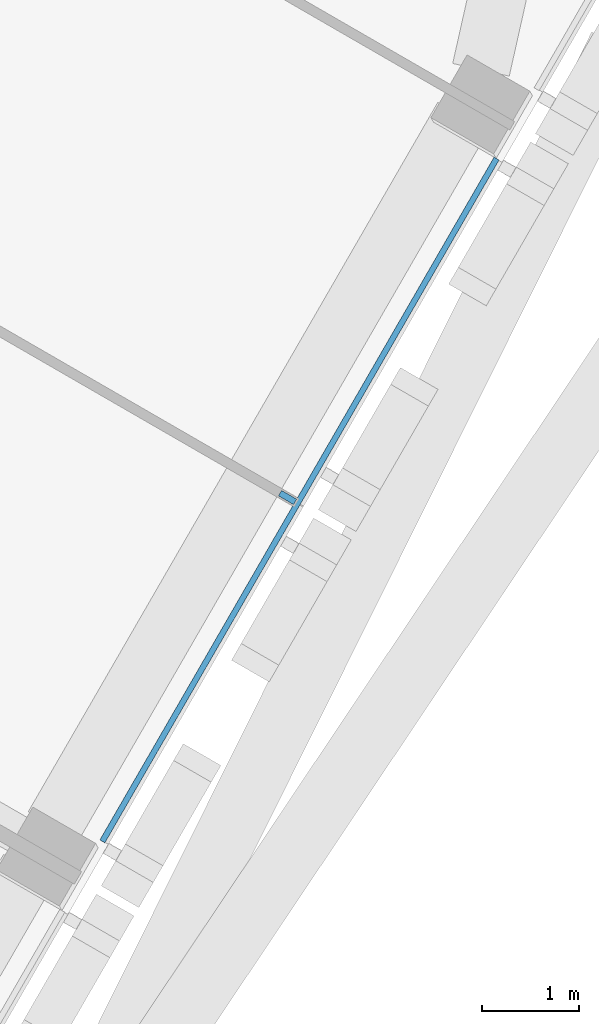
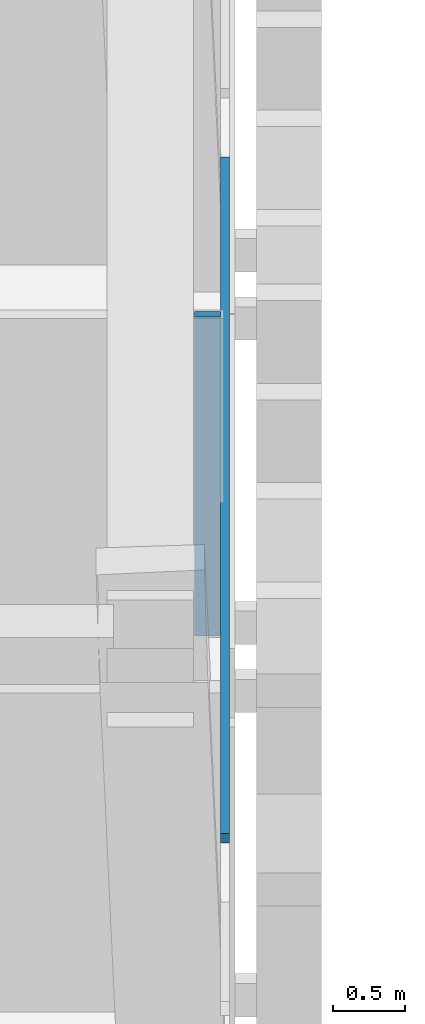
# One storey, part 11 of 22: 2 members, 1 element without a shape of its own.
"""IFC4 building model written with IfcOpenShell, lengths in metres."""

import ifcopenshell
import ifcopenshell.guid

model = None  # the IFC model being written
_history = None  # IfcOwnerHistory: only IFC2X3 demands one
_inside = {}  # id of a spatial element -> (the spatial element, [elements in it])
_under = {}  # id of a project, library or spatial element -> (it, [spatial elements below it])
_declared = {}  # id of a project -> (the project, [libraries it declares])
_typed = {}  # id of a type object -> (the type object, [elements of that type])
_made_of = {}  # id of a material, layer set ... -> (it, [elements and type objects made of it])


def new_model(schema):
    """Start an empty IFC model of exactly this schema.

    Asked for "IFC4X3", IfcOpenShell would pick the latest addendum, in which some entities
    have other attributes; the version numbers below select the first issue.
    IFC2X3 requires an IfcOwnerHistory on every rooted entity: one is made here for all.
    """
    global model, _history
    if schema == "IFC4X3":
        model = ifcopenshell.file(schema_version=(4, 3, 0, 0))
    else:
        model = ifcopenshell.file(schema=schema)
    _inside.clear()
    _under.clear()
    _declared.clear()
    _typed.clear()
    _made_of.clear()
    _history = None
    if model.schema == "IFC2X3":
        org = make("IfcOrganization", Name="unknown")
        user = make(
            "IfcPersonAndOrganization",
            ThePerson=make("IfcPerson", FamilyName="unknown"),
            TheOrganization=org,
        )
        app = make(
            "IfcApplication",
            ApplicationDeveloper=org,
            Version="unknown",
            ApplicationFullName="unknown",
            ApplicationIdentifier="unknown",
        )
        _history = make(
            "IfcOwnerHistory",
            OwningUser=user,
            OwningApplication=app,
            ChangeAction="ADDED",
            CreationDate=0,
        )
    return model


def make(cls, **values):
    """One entity of the class cls with the attributes given. An attribute that is None is left unset."""
    return model.create_entity(
        cls, **{name: value for name, value in values.items() if value is not None}
    )


def rooted(cls, **values):
    """An entity with a GlobalId (a new one), such as an element, a storey or a relation."""
    return make(cls, GlobalId=ifcopenshell.guid.new(), OwnerHistory=_history, **values)


def si_unit(unit_type, name, prefix=None):
    """IfcSIUnit, for example si_unit("LENGTHUNIT", "METRE", prefix="MILLI")."""
    return make("IfcSIUnit", UnitType=unit_type, Prefix=prefix, Name=name)


def assignment(units):
    """IfcUnitAssignment: the units of a project."""
    return None if units is None else make("IfcUnitAssignment", Units=units)


def point(xyz):
    """IfcCartesianPoint."""
    return None if xyz is None else make("IfcCartesianPoint", Coordinates=xyz)


def direction(xyz):
    """IfcDirection."""
    return None if xyz is None else make("IfcDirection", DirectionRatios=xyz)


def frame(location, z_axis=None, x_axis=None):
    """IfcAxis2Placement3D, a coordinate frame: its origin and axes. An axis left out is left unset."""
    return make(
        "IfcAxis2Placement3D",
        Location=point(location),
        Axis=direction(z_axis),
        RefDirection=direction(x_axis),
    )


def frame_2d(location, x_axis=None):
    """IfcAxis2Placement2D, a coordinate frame in the plane: its origin and x axis."""
    return make(
        "IfcAxis2Placement2D", Location=point(location), RefDirection=direction(x_axis)
    )


def origin():
    """The frame at (0, 0, 0) with its axes left unset."""
    return frame((0.0, 0.0, 0.0))


def origin_2d():
    """The frame at (0, 0) in the plane with its x axis left unset."""
    return frame_2d((0.0, 0.0))


def place(relative_to, where):
    """IfcLocalPlacement: puts the frame where relative to a parent placement (None: the world)."""
    return make(
        "IfcLocalPlacement", PlacementRelTo=relative_to, RelativePlacement=where
    )


def context(
    kind, dimensions, precision=None, world=None, true_north=None, identifier=None
):
    """IfcGeometricRepresentationContext, for example the 3D "Model" context."""
    return make(
        "IfcGeometricRepresentationContext",
        ContextIdentifier=identifier,
        ContextType=kind,
        CoordinateSpaceDimension=dimensions,
        Precision=precision,
        WorldCoordinateSystem=world,
        TrueNorth=true_north,
    )


def subcontext(parent, identifier, kind, view, scale=None):
    """IfcGeometricRepresentationSubContext, for example "Body" below "Model"."""
    return make(
        "IfcGeometricRepresentationSubContext",
        ContextIdentifier=identifier,
        ContextType=kind,
        ParentContext=parent,
        TargetScale=scale,
        TargetView=view,
    )


def project(units=None, contexts=None):
    """IfcProject with its units and contexts."""
    return rooted(
        "IfcProject",
        Name="project",
        RepresentationContexts=contexts,
        UnitsInContext=assignment(units),
    )


def spatial(cls, under=None, at=None, **own):
    """A site, building, storey or space (cls), placed at a placement, below another one or the project."""
    s = rooted(cls, ObjectPlacement=at, **own)
    if under is not None:
        _under.setdefault(under.id(), (under, []))[1].append(s)
    return s


def profile(cls, at=None, kind="AREA", **sizes):
    """A parametric profile (cls). Its sizes go by their IFC names, for example OverallWidth=200.0."""
    return make(cls, ProfileType=kind, Position=at, **sizes)


def rectangle(**sizes):
    """IfcRectangleProfileDef."""
    return profile("IfcRectangleProfileDef", **sizes)


def extrude(swept, where, along, depth):
    """IfcExtrudedAreaSolid: the profile swept, set in the frame where, extruded along a direction by depth."""
    return make(
        "IfcExtrudedAreaSolid",
        SweptArea=swept,
        Position=where,
        ExtrudedDirection=direction(along),
        Depth=depth,
    )


def shape(context_of_items, identifier, shape_type, items):
    """IfcShapeRepresentation: the items that make up one representation, for example the "Body"."""
    return make(
        "IfcShapeRepresentation",
        ContextOfItems=context_of_items,
        RepresentationIdentifier=identifier,
        RepresentationType=shape_type,
        Items=items,
    )


def material(Name=None, Category=None):
    """IfcMaterial."""
    return make("IfcMaterial", Name=Name, Category=Category)


def layer(
    of_material, thickness, ventilated=None, Name=None, Category=None, Priority=None
):
    """IfcMaterialLayer: one layer of a wall or slab, of a material (None: an air gap)."""
    return make(
        "IfcMaterialLayer",
        Material=of_material,
        LayerThickness=thickness,
        IsVentilated=ventilated,
        Name=Name,
        Category=Category,
        Priority=Priority,
    )


def layer_set(layers, Name=None):
    """IfcMaterialLayerSet."""
    return make("IfcMaterialLayerSet", MaterialLayers=layers, LayerSetName=Name)


def material_profile(
    of_material, cross_section, Name=None, Category=None, Priority=None
):
    """IfcMaterialProfile: a cross section and its material."""
    return make(
        "IfcMaterialProfile",
        Name=Name,
        Material=of_material,
        Profile=cross_section,
        Priority=Priority,
        Category=Category,
    )


def profile_set(profiles, Name=None, composite=None):
    """IfcMaterialProfileSet."""
    return make(
        "IfcMaterialProfileSet",
        Name=Name,
        MaterialProfiles=profiles,
        CompositeProfile=composite,
    )


def made_of(thing, what):
    """Note that an element or type object is made of a material, layer set ...; save() writes the relation."""
    if what is not None:
        _made_of.setdefault(what.id(), (what, []))[1].append(thing)
    return thing


def type_object(cls, material=None, **own):
    """A type object (cls), such as IfcWallType, which elements share."""
    return made_of(rooted(cls, **own), material)


def element(
    cls,
    number,
    at=None,
    inside=None,
    cuts=None,
    type_object=None,
    material=None,
    context=None,
    identifier="Body",
    shape_type=None,
    held_by="IfcProductDefinitionShape",
    body=None,
    shapes=None,
    **own,
):
    """One element of the class cls, such as IfcWall. Its Tag is "e" and its number.

    at: its placement. inside: the storey or other place that contains it. cuts: it is an
    opening in that element (IfcRelVoidsElement). A single representation is given by context,
    identifier, shape_type and body (its items); several are given by shapes. held_by: the class
    of the entity that holds the representations. save() writes the other relations.
    """
    e = rooted(cls, Tag="e%d" % number, ObjectPlacement=at, **own)
    if body is not None:
        shapes = [shape(context, identifier, shape_type, body)]
    if shapes is not None:
        e.Representation = make(held_by, Representations=shapes)
    if inside is not None:
        _inside.setdefault(inside.id(), (inside, []))[1].append(e)
    if cuts is not None:
        rooted(
            "IfcRelVoidsElement", RelatingBuildingElement=cuts, RelatedOpeningElement=e
        )
    if type_object is not None:
        _typed.setdefault(type_object.id(), (type_object, []))[1].append(e)
    return made_of(e, material)


def aggregate(whole, parts):
    """IfcRelAggregates: a whole, such as a stair, and the parts it consists of."""
    return rooted("IfcRelAggregates", RelatingObject=whole, RelatedObjects=parts)


def save(model, path):
    """Write the relations noted so far, then the file.

    IfcRelAggregates (storeys below a building ...), IfcRelContainedInSpatialStructure (elements
    in a storey), IfcRelDefinesByType, IfcRelAssociatesMaterial and IfcRelDeclares: one each for
    every whole, place, type object, material and project.
    """
    for whole, parts in _under.values():
        aggregate(whole, parts)
    for where, things in _inside.values():
        rooted(
            "IfcRelContainedInSpatialStructure",
            RelatedElements=things,
            RelatingStructure=where,
        )
    for kind, things in _typed.values():
        rooted("IfcRelDefinesByType", RelatedObjects=things, RelatingType=kind)
    for what, things in _made_of.values():
        rooted("IfcRelAssociatesMaterial", RelatedObjects=things, RelatingMaterial=what)
    for by, libraries in _declared.values():
        rooted("IfcRelDeclares", RelatingContext=by, RelatedDefinitions=libraries)
    model.write(path)


model = new_model("IFC4")

# Units and contexts
model_context = context("Model", 3, precision=1e-05, world=origin(), true_north=direction((0.0, 1.0)))
body_context = subcontext(model_context, "Body", "Model", "MODEL_VIEW")
ifc_project = project(units=[si_unit("LENGTHUNIT", "METRE"), si_unit("AREAUNIT", "SQUARE_METRE"), si_unit("VOLUMEUNIT", "CUBIC_METRE"), si_unit("PLANEANGLEUNIT", "RADIAN"), si_unit("MASSUNIT", "GRAM", prefix="KILO")], contexts=[model_context])

# Site, building, storey
site_placement = place(None, origin())
site = spatial("IfcSite", under=ifc_project, at=site_placement, CompositionType="ELEMENT")
building_placement = place(site_placement, origin())
building = spatial("IfcBuilding", under=site, at=building_placement, Name="Altiplano Prism Tower", CompositionType="ELEMENT")
storey_placement = place(building_placement, frame((0.0, 0.0, 219.39990234375)))
storey = spatial("IfcBuildingStorey", under=building, at=storey_placement, Name="L56", CompositionType="ELEMENT", Elevation=219.39990234375)

# Curtain wall, members
ifc_material_1 = material(Name="Aluminium and glass", Category="aluminium")
ifc_layer = layer(ifc_material_1, 0.280029296875)
ifc_layer_set = layer_set([ifc_layer], Name="Aluminium and glass")
curtain_wall_type = type_object("IfcCurtainWallType", Name="CW1 typical co-living unitised curtain wall", PredefinedType="NOTDEFINED", material=ifc_layer_set)
curtain_wall_placement = place(storey_placement, origin())
curtain_wall = element("IfcCurtainWall", 1, at=curtain_wall_placement, inside=storey, type_object=curtain_wall_type, Name="CW1 curtain wall south-east face L56", PredefinedType="NOTDEFINED")
ifc_material_2 = material(Name="Aluminium", Category="aluminium")
ifc_material_profile_1 = material_profile(ifc_material_2, rectangle(XDim=0.179931640625, YDim=0.06494140625, at=origin_2d()), Name="CW1 mullion 65 x 180")
ifc_profile_set_1 = profile_set([ifc_material_profile_1], Name="Aluminium")
member_type_1 = type_object("IfcMemberType", Name="CW1 mullion 65 x 180", PredefinedType="MULLION", material=ifc_profile_set_1)
member_1_placement = place(storey_placement, frame((103.2470703125, 88.793701171875, 0.0), z_axis=(0.0, 0.0, 1.0), x_axis=(-0.866025415356, 0.499999979958, 0.0)))
member_1 = element("IfcMember", 2, at=member_1_placement, type_object=member_type_1, Name="CW1 mullion", PredefinedType="MULLION", context=body_context, shape_type="SweptSolid", body=[
    extrude(rectangle(XDim=0.179931640625, YDim=0.06494140625, at=origin_2d()), origin(), (0.0, 0.0, 1.0), 2.7001953125),
])
ifc_material_profile_2 = material_profile(ifc_material_2, rectangle(XDim=0.06005859375, YDim=0.080078125, at=origin_2d()), Name="CW1 transom 80 x 60")
ifc_profile_set_2 = profile_set([ifc_material_profile_2], Name="Aluminium")
member_type_2 = type_object("IfcMemberType", Name="CW1 transom 80 x 60", PredefinedType="USERDEFINED", material=ifc_profile_set_2)
member_2_placement = place(storey_placement, frame((101.328125, 85.230224609375, 1.10009765625), z_axis=(0.499995783154, 0.866027838368, 0.0), x_axis=(-0.866027838368, 0.499995783154, 0.0)))
member_2 = element("IfcMember", 3, at=member_2_placement, type_object=member_type_2, Name="CW1 transom", ObjectType="TRANSOM", PredefinedType="USERDEFINED", context=body_context, shape_type="SweptSolid", body=[
    extrude(rectangle(XDim=0.06005859375, YDim=0.080078125, at=origin_2d()), origin(), (0.0, 0.0, 1.0), 8.169921875),
])
aggregate(curtain_wall, [member_1, member_2])

save(model, "model.ifc")
